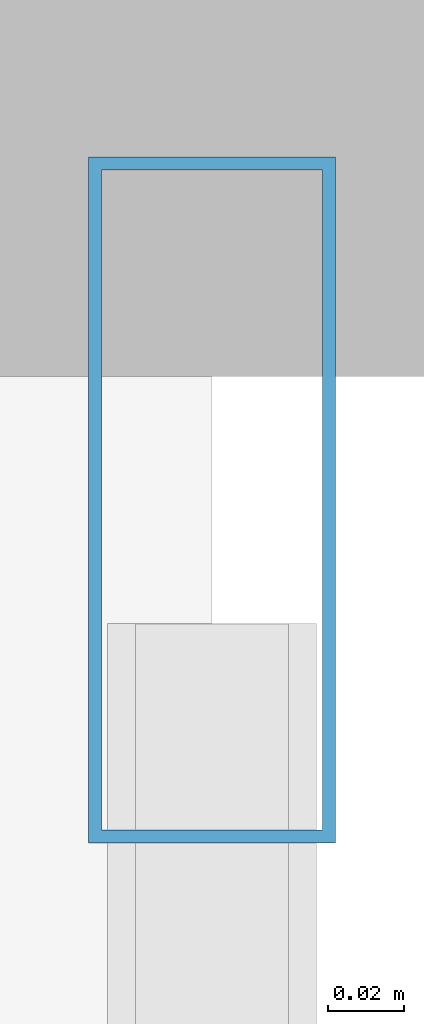
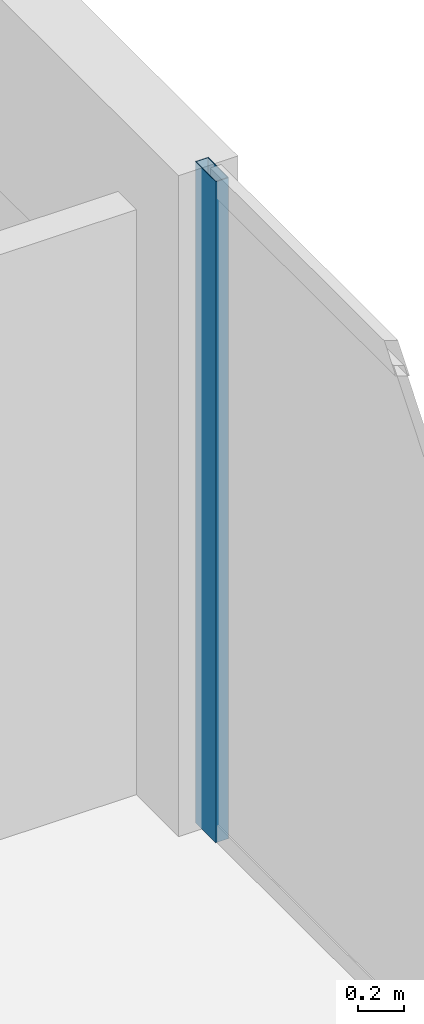
# One storey, part 21 of 32: 1 member, 1 element without a shape of its own.
"""IFC4 building model written with IfcOpenShell, lengths in metres."""

import ifcopenshell
import ifcopenshell.guid

model = None  # the IFC model being written
_history = None  # IfcOwnerHistory: only IFC2X3 demands one
_inside = {}  # id of a spatial element -> (the spatial element, [elements in it])
_under = {}  # id of a project, library or spatial element -> (it, [spatial elements below it])
_declared = {}  # id of a project -> (the project, [libraries it declares])
_typed = {}  # id of a type object -> (the type object, [elements of that type])
_made_of = {}  # id of a material, layer set ... -> (it, [elements and type objects made of it])


def new_model(schema):
    """Start an empty IFC model of exactly this schema.

    Asked for "IFC4X3", IfcOpenShell would pick the latest addendum, in which some entities
    have other attributes; the version numbers below select the first issue.
    IFC2X3 requires an IfcOwnerHistory on every rooted entity: one is made here for all.
    """
    global model, _history
    if schema == "IFC4X3":
        model = ifcopenshell.file(schema_version=(4, 3, 0, 0))
    else:
        model = ifcopenshell.file(schema=schema)
    _inside.clear()
    _under.clear()
    _declared.clear()
    _typed.clear()
    _made_of.clear()
    _history = None
    if model.schema == "IFC2X3":
        org = make("IfcOrganization", Name="unknown")
        user = make(
            "IfcPersonAndOrganization",
            ThePerson=make("IfcPerson", FamilyName="unknown"),
            TheOrganization=org,
        )
        app = make(
            "IfcApplication",
            ApplicationDeveloper=org,
            Version="unknown",
            ApplicationFullName="unknown",
            ApplicationIdentifier="unknown",
        )
        _history = make(
            "IfcOwnerHistory",
            OwningUser=user,
            OwningApplication=app,
            ChangeAction="ADDED",
            CreationDate=0,
        )
    return model


def make(cls, **values):
    """One entity of the class cls with the attributes given. An attribute that is None is left unset."""
    return model.create_entity(
        cls, **{name: value for name, value in values.items() if value is not None}
    )


def rooted(cls, **values):
    """An entity with a GlobalId (a new one), such as an element, a storey or a relation."""
    return make(cls, GlobalId=ifcopenshell.guid.new(), OwnerHistory=_history, **values)


def si_unit(unit_type, name, prefix=None):
    """IfcSIUnit, for example si_unit("LENGTHUNIT", "METRE", prefix="MILLI")."""
    return make("IfcSIUnit", UnitType=unit_type, Prefix=prefix, Name=name)


def assignment(units):
    """IfcUnitAssignment: the units of a project."""
    return None if units is None else make("IfcUnitAssignment", Units=units)


def point(xyz):
    """IfcCartesianPoint."""
    return None if xyz is None else make("IfcCartesianPoint", Coordinates=xyz)


def direction(xyz):
    """IfcDirection."""
    return None if xyz is None else make("IfcDirection", DirectionRatios=xyz)


def frame(location, z_axis=None, x_axis=None):
    """IfcAxis2Placement3D, a coordinate frame: its origin and axes. An axis left out is left unset."""
    return make(
        "IfcAxis2Placement3D",
        Location=point(location),
        Axis=direction(z_axis),
        RefDirection=direction(x_axis),
    )


def frame_2d(location, x_axis=None):
    """IfcAxis2Placement2D, a coordinate frame in the plane: its origin and x axis."""
    return make(
        "IfcAxis2Placement2D", Location=point(location), RefDirection=direction(x_axis)
    )


def origin():
    """The frame at (0, 0, 0) with its axes left unset."""
    return frame((0.0, 0.0, 0.0))


def origin_2d():
    """The frame at (0, 0) in the plane with its x axis left unset."""
    return frame_2d((0.0, 0.0))


def place(relative_to, where):
    """IfcLocalPlacement: puts the frame where relative to a parent placement (None: the world)."""
    return make(
        "IfcLocalPlacement", PlacementRelTo=relative_to, RelativePlacement=where
    )


def context(
    kind, dimensions, precision=None, world=None, true_north=None, identifier=None
):
    """IfcGeometricRepresentationContext, for example the 3D "Model" context."""
    return make(
        "IfcGeometricRepresentationContext",
        ContextIdentifier=identifier,
        ContextType=kind,
        CoordinateSpaceDimension=dimensions,
        Precision=precision,
        WorldCoordinateSystem=world,
        TrueNorth=true_north,
    )


def subcontext(parent, identifier, kind, view, scale=None):
    """IfcGeometricRepresentationSubContext, for example "Body" below "Model"."""
    return make(
        "IfcGeometricRepresentationSubContext",
        ContextIdentifier=identifier,
        ContextType=kind,
        ParentContext=parent,
        TargetScale=scale,
        TargetView=view,
    )


def project(units=None, contexts=None):
    """IfcProject with its units and contexts."""
    return rooted(
        "IfcProject",
        Name="project",
        RepresentationContexts=contexts,
        UnitsInContext=assignment(units),
    )


def spatial(cls, under=None, at=None, **own):
    """A site, building, storey or space (cls), placed at a placement, below another one or the project."""
    s = rooted(cls, ObjectPlacement=at, **own)
    if under is not None:
        _under.setdefault(under.id(), (under, []))[1].append(s)
    return s


def profile(cls, at=None, kind="AREA", **sizes):
    """A parametric profile (cls). Its sizes go by their IFC names, for example OverallWidth=200.0."""
    return make(cls, ProfileType=kind, Position=at, **sizes)


def hollow_rectangle(**sizes):
    """IfcRectangleHollowProfileDef."""
    return profile("IfcRectangleHollowProfileDef", **sizes)


def extrude(swept, where, along, depth):
    """IfcExtrudedAreaSolid: the profile swept, set in the frame where, extruded along a direction by depth."""
    return make(
        "IfcExtrudedAreaSolid",
        SweptArea=swept,
        Position=where,
        ExtrudedDirection=direction(along),
        Depth=depth,
    )


def shape(context_of_items, identifier, shape_type, items):
    """IfcShapeRepresentation: the items that make up one representation, for example the "Body"."""
    return make(
        "IfcShapeRepresentation",
        ContextOfItems=context_of_items,
        RepresentationIdentifier=identifier,
        RepresentationType=shape_type,
        Items=items,
    )


def material(Name=None, Category=None):
    """IfcMaterial."""
    return make("IfcMaterial", Name=Name, Category=Category)


def layer(
    of_material, thickness, ventilated=None, Name=None, Category=None, Priority=None
):
    """IfcMaterialLayer: one layer of a wall or slab, of a material (None: an air gap)."""
    return make(
        "IfcMaterialLayer",
        Material=of_material,
        LayerThickness=thickness,
        IsVentilated=ventilated,
        Name=Name,
        Category=Category,
        Priority=Priority,
    )


def layer_set(layers, Name=None):
    """IfcMaterialLayerSet."""
    return make("IfcMaterialLayerSet", MaterialLayers=layers, LayerSetName=Name)


def material_profile(
    of_material, cross_section, Name=None, Category=None, Priority=None
):
    """IfcMaterialProfile: a cross section and its material."""
    return make(
        "IfcMaterialProfile",
        Name=Name,
        Material=of_material,
        Profile=cross_section,
        Priority=Priority,
        Category=Category,
    )


def profile_set(profiles, Name=None, composite=None):
    """IfcMaterialProfileSet."""
    return make(
        "IfcMaterialProfileSet",
        Name=Name,
        MaterialProfiles=profiles,
        CompositeProfile=composite,
    )


def made_of(thing, what):
    """Note that an element or type object is made of a material, layer set ...; save() writes the relation."""
    if what is not None:
        _made_of.setdefault(what.id(), (what, []))[1].append(thing)
    return thing


def type_object(cls, material=None, **own):
    """A type object (cls), such as IfcWallType, which elements share."""
    return made_of(rooted(cls, **own), material)


def element(
    cls,
    number,
    at=None,
    inside=None,
    cuts=None,
    type_object=None,
    material=None,
    context=None,
    identifier="Body",
    shape_type=None,
    held_by="IfcProductDefinitionShape",
    body=None,
    shapes=None,
    **own,
):
    """One element of the class cls, such as IfcWall. Its Tag is "e" and its number.

    at: its placement. inside: the storey or other place that contains it. cuts: it is an
    opening in that element (IfcRelVoidsElement). A single representation is given by context,
    identifier, shape_type and body (its items); several are given by shapes. held_by: the class
    of the entity that holds the representations. save() writes the other relations.
    """
    e = rooted(cls, Tag="e%d" % number, ObjectPlacement=at, **own)
    if body is not None:
        shapes = [shape(context, identifier, shape_type, body)]
    if shapes is not None:
        e.Representation = make(held_by, Representations=shapes)
    if inside is not None:
        _inside.setdefault(inside.id(), (inside, []))[1].append(e)
    if cuts is not None:
        rooted(
            "IfcRelVoidsElement", RelatingBuildingElement=cuts, RelatedOpeningElement=e
        )
    if type_object is not None:
        _typed.setdefault(type_object.id(), (type_object, []))[1].append(e)
    return made_of(e, material)


def aggregate(whole, parts):
    """IfcRelAggregates: a whole, such as a stair, and the parts it consists of."""
    return rooted("IfcRelAggregates", RelatingObject=whole, RelatedObjects=parts)


def save(model, path):
    """Write the relations noted so far, then the file.

    IfcRelAggregates (storeys below a building ...), IfcRelContainedInSpatialStructure (elements
    in a storey), IfcRelDefinesByType, IfcRelAssociatesMaterial and IfcRelDeclares: one each for
    every whole, place, type object, material and project.
    """
    for whole, parts in _under.values():
        aggregate(whole, parts)
    for where, things in _inside.values():
        rooted(
            "IfcRelContainedInSpatialStructure",
            RelatedElements=things,
            RelatingStructure=where,
        )
    for kind, things in _typed.values():
        rooted("IfcRelDefinesByType", RelatedObjects=things, RelatingType=kind)
    for what, things in _made_of.values():
        rooted("IfcRelAssociatesMaterial", RelatedObjects=things, RelatingMaterial=what)
    for by, libraries in _declared.values():
        rooted("IfcRelDeclares", RelatingContext=by, RelatedDefinitions=libraries)
    model.write(path)


model = new_model("IFC4")

# Units and contexts
model_context = context("Model", 3, precision=1e-05, world=origin(), true_north=direction((0.0, 1.0)))
body_context = subcontext(model_context, "Body", "Model", "MODEL_VIEW")
ifc_project = project(units=[si_unit("LENGTHUNIT", "METRE"), si_unit("AREAUNIT", "SQUARE_METRE"), si_unit("VOLUMEUNIT", "CUBIC_METRE"), si_unit("PLANEANGLEUNIT", "RADIAN"), si_unit("MASSUNIT", "GRAM", prefix="KILO")], contexts=[model_context])

# Site, building, storey
site_placement = place(None, origin())
site = spatial("IfcSite", under=ifc_project, at=site_placement, CompositionType="ELEMENT")
building_placement = place(site_placement, origin())
building = spatial("IfcBuilding", under=site, at=building_placement, Name="Zuhayl Quay Hotel", CompositionType="ELEMENT")
storey_placement = place(building_placement, frame((0.0, 0.0, 181.14990234375)))
storey = spatial("IfcBuildingStorey", under=building, at=storey_placement, Name="L45", CompositionType="ELEMENT", Elevation=181.14990234375)

# Curtain wall, member
ifc_material_1 = material(Name="Anodised Aluminium 6063-T6", Category="aluminium")
ifc_layer = layer(ifc_material_1, 0.175048828125, Name="Anodised Aluminium 6063-T6", Category="aluminium")
ifc_layer_set = layer_set([ifc_layer], Name="Anodised Aluminium 6063-T6")
curtain_wall_type = type_object("IfcCurtainWallType", Name="CW_SYS_Z3", PredefinedType="USERDEFINED", material=ifc_layer_set)
curtain_wall_placement = place(storey_placement, origin())
curtain_wall = element("IfcCurtainWall", 1, at=curtain_wall_placement, inside=storey, type_object=curtain_wall_type, Name="L45 Curtain Wall ENV_L45_E11_CW1", ObjectType="UNITISED CURTAIN WALL", PredefinedType="USERDEFINED")
ifc_material_2 = material(Name="Black-anodised aluminium 6063-T6", Category="aluminium")
ifc_material_profile = material_profile(ifc_material_2, hollow_rectangle(XDim=0.06494140625, YDim=0.179931640625, WallThickness=0.00341796875, at=origin_2d()), Name="ALU180X65")
ifc_profile_set = profile_set([ifc_material_profile], Name="Black-anodised aluminium 6063-T6")
member_type = type_object("IfcMemberType", Name="MB_CW_MUL_180", PredefinedType="MULLION", material=ifc_profile_set)
member_placement = place(storey_placement, frame((22.10009765625, 24.517578125, 0.0), z_axis=(0.0, 0.0, 1.0), x_axis=(1.0, 0.0, 0.0)))
member = element("IfcMember", 2, at=member_placement, type_object=member_type, Name="CW-Z3 mullion 1", PredefinedType="MULLION", context=body_context, shape_type="SweptSolid", body=[
    extrude(hollow_rectangle(XDim=0.06494140625, YDim=0.179931640625, WallThickness=0.00341796875, at=origin_2d()), origin(), (0.0, 0.0, 1.0), 3.530029296875),
])
aggregate(curtain_wall, [member])

save(model, "model.ifc")
